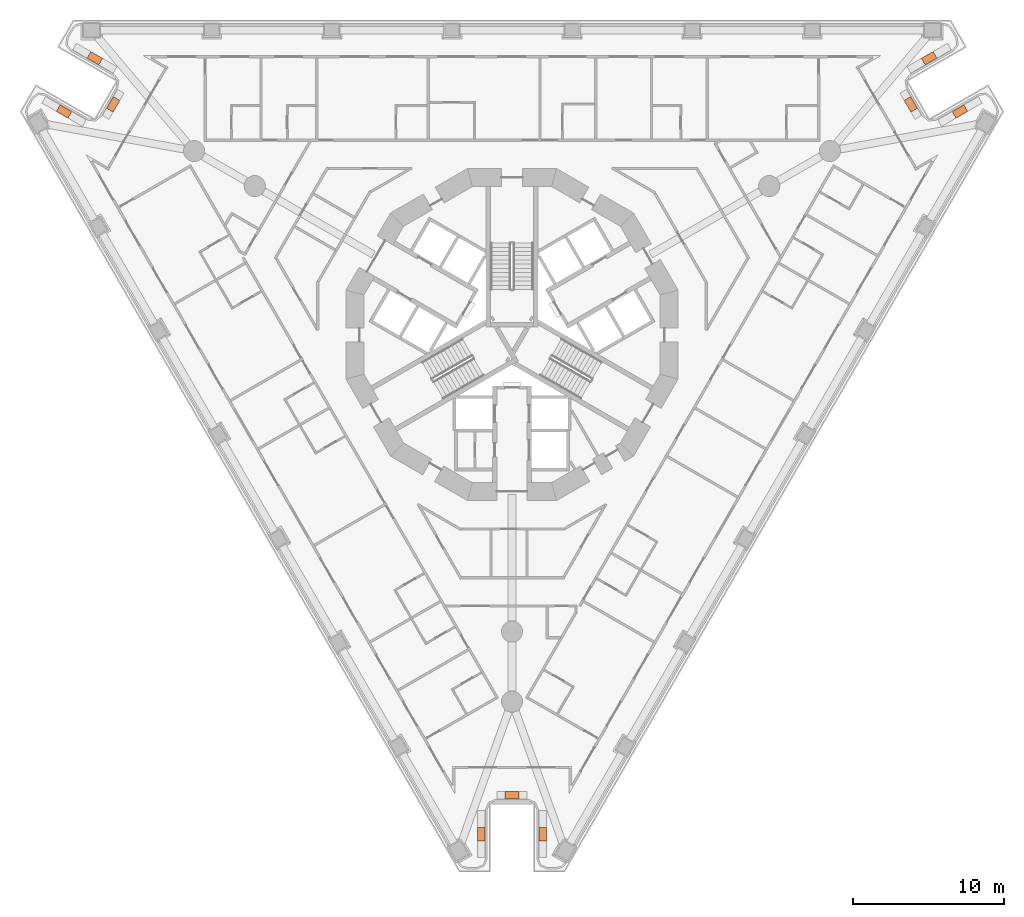
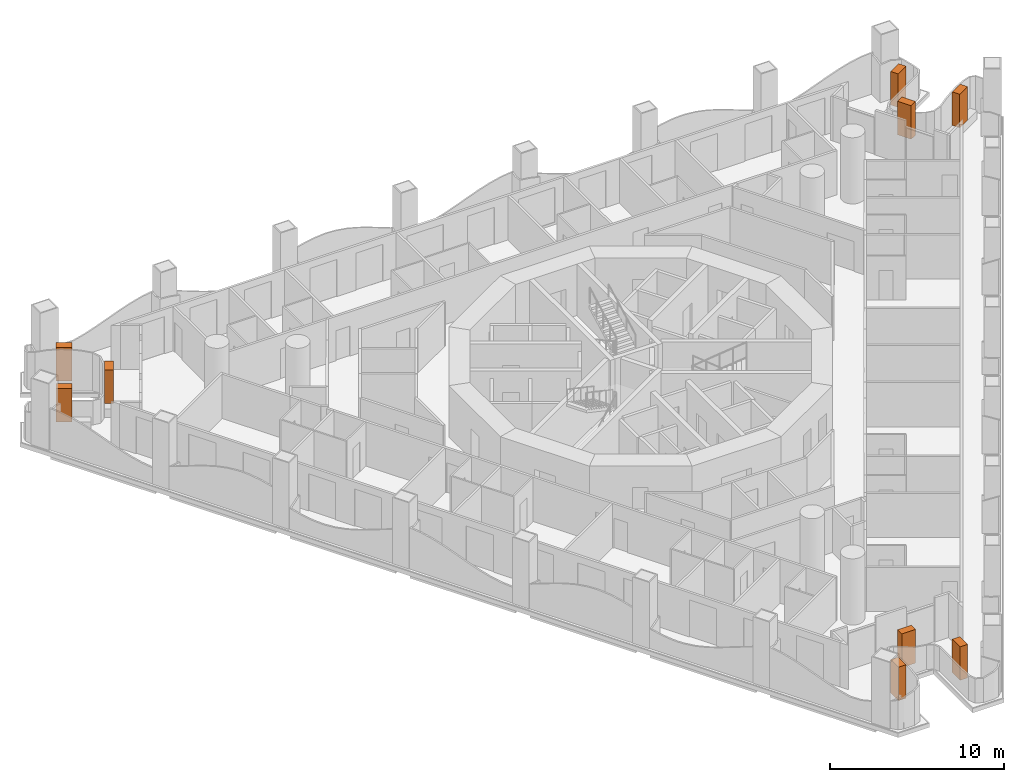
# One storey, part 19 of 19: 9 geographic elements.
"""IFC4 building model written with IfcOpenShell, lengths in metres."""

from ifc_helpers import new_model, si_unit, direction, frame, origin, origin_2d, place, context, subcontext, project, spatial, rectangle, extrude, element, save


model = new_model("IFC4")

# Units and contexts
model_context = context("Model", 3, precision=1e-05, world=origin(), true_north=direction((0.0, 1.0)))
body_context = subcontext(model_context, "Body", "Model", "MODEL_VIEW")
ifc_project = project(units=[si_unit("LENGTHUNIT", "METRE"), si_unit("AREAUNIT", "SQUARE_METRE"), si_unit("VOLUMEUNIT", "CUBIC_METRE"), si_unit("PLANEANGLEUNIT", "RADIAN"), si_unit("MASSUNIT", "GRAM", prefix="KILO")], contexts=[model_context])

# Site, building, storey
site_placement = place(None, origin())
site = spatial("IfcSite", under=ifc_project, at=site_placement, CompositionType="ELEMENT")
building_placement = place(site_placement, origin())
building = spatial("IfcBuilding", under=site, at=building_placement, Name="Trine Commons Tower", CompositionType="ELEMENT")
storey_placement = place(building_placement, frame((0.0, 0.0, 42.300048828125)))
storey = spatial("IfcBuildingStorey", under=building, at=storey_placement, Name="L09", CompositionType="ELEMENT", Elevation=42.300048828125)

# Geographic elements
for number, where, z_axis, x_axis, name in (
    (1, (50.298095703125, 77.29296875, 0.599853515625), (0.0, 0.0, 1.0), (0.866026276448, -0.4999984885, 0.0), "Tree 1.1"),
    (2, (53.560791015625, 77.7646484375, 0.599853515625), (0.0, 0.0, 1.0), (0.500010580459, 0.866019295067, 0.0), "Tree 2.1"),
    (3, (52.337890625, 80.826416015625, 0.599853515625), (0.0, 0.0, 1.0), (-0.866026276448, 0.4999984885, 0.0), "Tree 3.1"),
    (4, (107.662109375, 80.826416015625, 0.599853515625), (0.0, 0.0, 1.0), (-0.866026276448, -0.4999984885, 0.0), "Tree 4.1"),
    (5, (106.439208984375, 77.7646484375, 0.599853515625), (0.0, 0.0, 1.0), (0.500010580459, -0.866019295067, 0.0), "Tree 5.1"),
    (6, (109.701904296875, 77.29296875, 0.599853515625), (0.0, 0.0, 1.0), (0.866026276448, 0.4999984885, 0.0), "Tree 6.1"),
    (7, (82.0400390625, 29.380859375, 0.599853515625), (0.0, 0.0, 1.0), (0.0, 1.0, 0.0), "Tree 7.1"),
    (8, (80.0, 31.970703125, 0.599853515625), (0.0, 0.0, 1.0), (-1.0, 0.0, 0.0), "Tree 8.1"),
    (9, (77.9599609375, 29.380859375, 0.599853515625), (0.0, 0.0, 1.0), (0.0, -1.0, 0.0), "Tree 9.1"),
):
    element("IfcGeographicElement", number, at=place(storey_placement, frame(where, z_axis=z_axis, x_axis=x_axis)), inside=storey, Name=name, ObjectType="TREE Tabebuia rosea", PredefinedType="USERDEFINED", context=body_context, shape_type="SweptSolid", body=[
        extrude(rectangle(XDim=0.89990234375, YDim=0.5, at=origin_2d()), origin(), (0.0, 0.0, 1.0), 2.35009765625),
    ])

save(model, "model.ifc")
